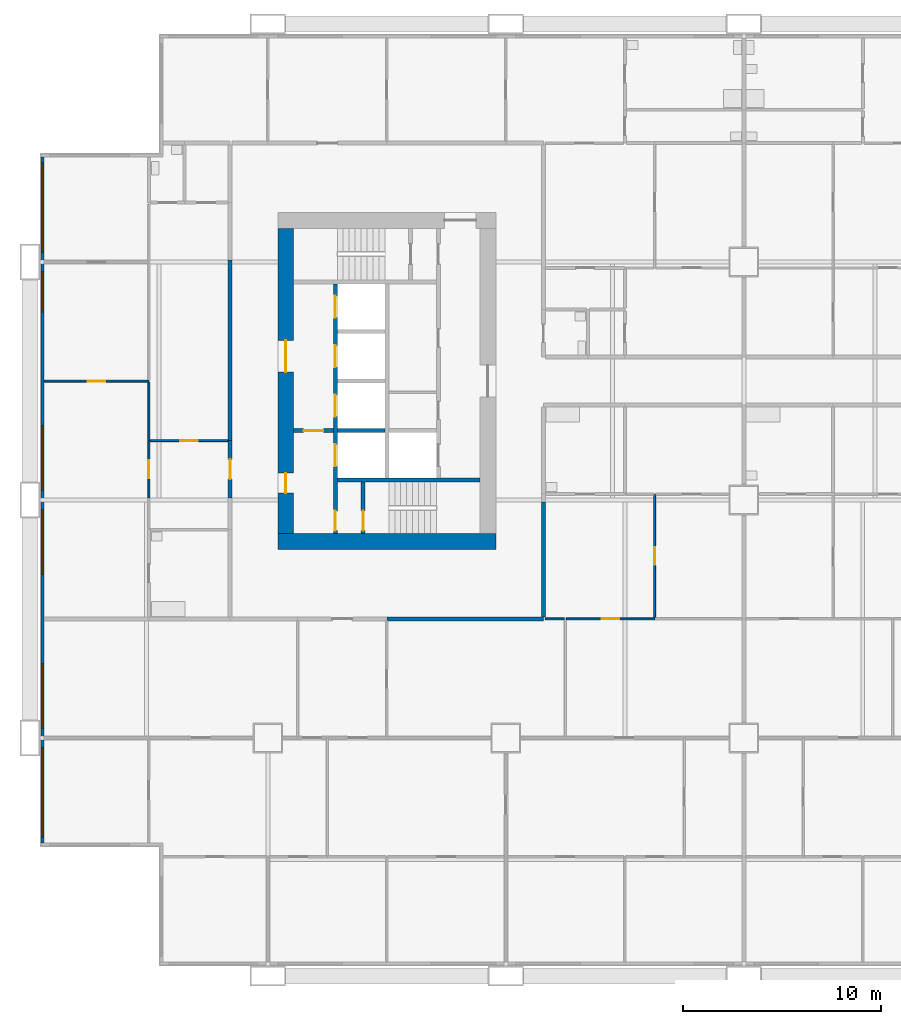
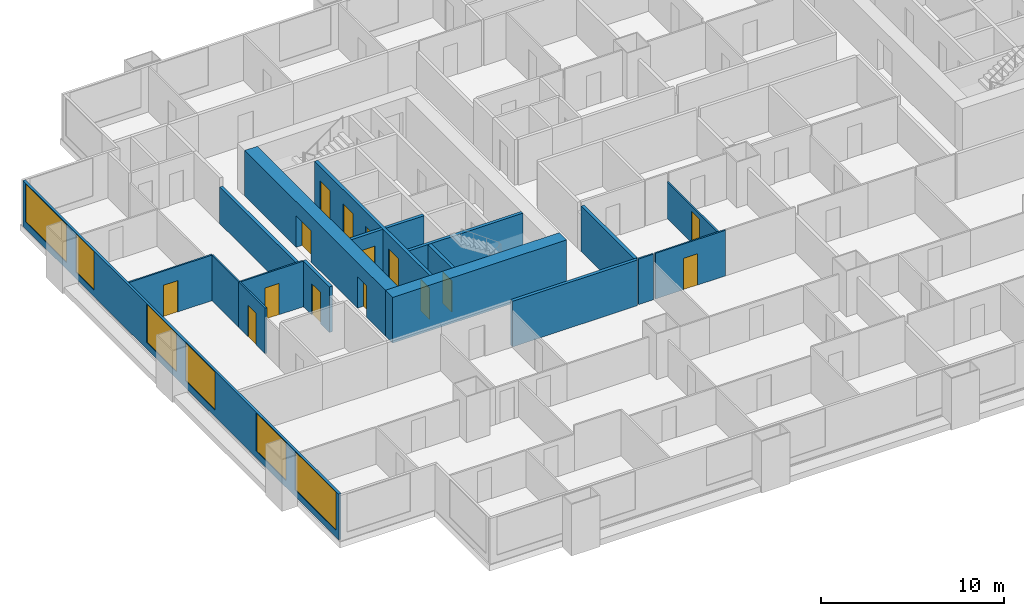
# One storey, part 3 of 13: 19 walls, 15 doors, 6 windows, 21 openings.
"""IFC4 building model written with IfcOpenShell, lengths in metres."""

from ifc_helpers import new_model, si_unit, direction, frame, frame_2d, origin, place, context, subcontext, project, spatial, rectangle, extrude, material, layer, layer_set, type_object, element, fill, save


model = new_model("IFC4")

# Units and contexts
model_context = context("Model", 3, precision=1e-05, world=origin(), true_north=direction((0.0, 1.0)))
body_context = subcontext(model_context, "Body", "Model", "MODEL_VIEW")
ifc_project = project(units=[si_unit("LENGTHUNIT", "METRE"), si_unit("AREAUNIT", "SQUARE_METRE"), si_unit("VOLUMEUNIT", "CUBIC_METRE"), si_unit("PLANEANGLEUNIT", "RADIAN"), si_unit("MASSUNIT", "GRAM", prefix="KILO")], contexts=[model_context])

# Site, building, storey
site_placement = place(None, origin())
site = spatial("IfcSite", under=ifc_project, at=site_placement, CompositionType="ELEMENT")
building_placement = place(site_placement, origin())
building = spatial("IfcBuilding", under=site, at=building_placement, Name="Kitamizu Gate Tower and Museum", CompositionType="ELEMENT")
storey_placement = place(building_placement, frame((0.0, 0.0, 36.89990234375)))
storey = spatial("IfcBuildingStorey", under=building, at=storey_placement, Name="L07", CompositionType="ELEMENT", Elevation=36.89990234375)

# Wall
ifc_material_1 = material(Name="Concrete Fc60", Category="concrete")
ifc_layer_1 = layer(ifc_material_1, 0.800048828125)
ifc_layer_set_1 = layer_set([ifc_layer_1], Name="Concrete Fc60")
wall_type_1 = type_object("IfcWallType", Name="Core wall 800", PredefinedType="SHEAR", material=ifc_layer_set_1)
wall_1_placement = place(storey_placement, frame((12.5, 21.89990234375, 0.0), z_axis=(0.0, 0.0, 1.0), x_axis=(1.0, 0.0, 0.0)))
element("IfcWall", 1, at=wall_1_placement, inside=storey, type_object=wall_type_1, Name="Core wall WS", PredefinedType="SHEAR", context=body_context, shape_type="SweptSolid", body=[
    extrude(rectangle(XDim=11.0, YDim=0.800048828125, at=frame_2d((5.5, 0.0))), origin(), (0.0, 0.0, 1.0), 3.050048828125),
])

# Wall, openings, doors
wall_2_placement = place(storey_placement, frame((12.89990234375, 22.300048828125, 0.0), z_axis=(0.0, 0.0, 1.0), x_axis=(0.0, 1.0, 0.0)))
wall_2 = element("IfcWall", 2, at=wall_2_placement, inside=storey, type_object=wall_type_1, Name="Core wall WOUT", PredefinedType="SHEAR", context=body_context, shape_type="SweptSolid", body=[
    extrude(rectangle(XDim=15.39990234375, YDim=0.800048828125, at=frame_2d((7.699951171875, 0.0))), origin(), (0.0, 0.0, 1.0), 3.050048828125),
])
opening_1_placement = place(wall_2_placement, frame((8.14990234375, 0.0, 0.0)))
opening_1 = element("IfcOpeningElement", 3, at=opening_1_placement, cuts=wall_2, Name="Opening L07-083", PredefinedType="OPENING", context=body_context, shape_type="SweptSolid", body=[
    extrude(rectangle(XDim=1.60009765625, YDim=2.10009765625, at=frame_2d((0.800048828125, 1.050048828125))), frame((0.0, 0.41015625, 0.0), z_axis=(0.0, -1.0, 0.0), x_axis=(1.0, 0.0, 0.0)), (0.0, 0.0, 1.0), 0.820068359375),
])
opening_2_placement = place(wall_2_placement, frame((2.050048828125, 0.0, 0.0)))
opening_2 = element("IfcOpeningElement", 4, at=opening_2_placement, cuts=wall_2, Name="Opening L07-084", PredefinedType="OPENING", context=body_context, shape_type="SweptSolid", body=[
    extrude(rectangle(XDim=1.0, YDim=2.10009765625, at=frame_2d((0.5, 1.050048828125))), frame((0.0, 0.41015625, 0.0), z_axis=(0.0, -1.0, 0.0), x_axis=(1.0, 0.0, 0.0)), (0.0, 0.0, 1.0), 0.820068359375),
])
ifc_material_2 = material(Name="Timber door set", Category="wood")
door_type_1 = type_object("IfcDoorType", Name="Entrance door 1600", OperationType="DOUBLE_DOOR_SINGLE_SWING", PredefinedType="DOOR", material=ifc_material_2)
door_1_placement = place(opening_1_placement, origin())
door_1 = element("IfcDoor", 5, at=door_1_placement, inside=storey, type_object=door_type_1, Name="Lobby door L07-083", OperationType="DOUBLE_DOOR_SINGLE_SWING", OverallHeight=2.10009765625, OverallWidth=1.60009765625, PredefinedType="DOOR", context=body_context, shape_type="SweptSolid", body=[
    extrude(rectangle(XDim=1.60009765625, YDim=2.10009765625, at=frame_2d((0.800048828125, 1.050048828125))), frame((0.0, 0.02490234375, 0.0), z_axis=(0.0, -1.0, 0.0), x_axis=(1.0, 0.0, 0.0)), (0.0, 0.0, 1.0), 0.050048828125),
])
fill(opening_1, door_1)
ifc_material_3 = material(Name="Hollow metal door set")
door_type_2 = type_object("IfcDoorType", Name="Fire door 1000", OperationType="NOTDEFINED", PredefinedType="DOOR", material=ifc_material_3)
door_2_placement = place(opening_2_placement, frame((1.0, 0.0, 0.0), x_axis=(-1.0, 0.0, 0.0)))
door_2 = element("IfcDoor", 6, at=door_2_placement, inside=storey, type_object=door_type_2, Name="Fire-fighting lobby door L07-084", OperationType="SINGLE_SWING_LEFT", OverallHeight=2.10009765625, OverallWidth=1.0, PredefinedType="DOOR", context=body_context, shape_type="SweptSolid", body=[
    extrude(rectangle(XDim=1.0, YDim=2.10009765625, at=frame_2d((0.5, 1.050048828125))), frame((0.0, 0.02490234375, 0.0), z_axis=(0.0, -1.0, 0.0), x_axis=(1.0, 0.0, 0.0)), (0.0, 0.0, 1.0), 0.050048828125),
])
fill(opening_2, door_2)

# Wall
ifc_material_4 = material(Name="Gypsum board on galvanised stud")
ifc_layer_2 = layer(ifc_material_4, 0.10009765625)
ifc_layer_set_2 = layer_set([ifc_layer_2], Name="Gypsum board on galvanised stud")
wall_type_2 = type_object("IfcWallType", Name="Partition 100 NOT RATED", PredefinedType="PARTITIONING", material=ifc_layer_set_2)
wall_3_placement = place(storey_placement, frame((26.949951171875, 18.0, 0.0), z_axis=(0.0, 0.0, 1.0), x_axis=(-1.0, 0.0, 0.0)))
element("IfcWall", 7, at=wall_3_placement, inside=storey, type_object=wall_type_2, Name="Partition L07-034", PredefinedType="PARTITIONING", context=body_context, shape_type="SweptSolid", body=[
    extrude(rectangle(XDim=0.949951171875, YDim=0.10009765625, at=frame_2d((0.47509765625, 0.0))), origin(), (0.0, 0.0, 1.0), 3.050048828125),
])

# Wall, opening, door
wall_4_placement = place(storey_placement, frame((31.5, 18.0, 0.0), z_axis=(0.0, 0.0, 1.0), x_axis=(-1.0, 0.0, 0.0)))
wall_4 = element("IfcWall", 8, at=wall_4_placement, inside=storey, type_object=wall_type_2, Name="Partition L07-036", PredefinedType="PARTITIONING", context=body_context, shape_type="SweptSolid", body=[
    extrude(rectangle(XDim=4.449951171875, YDim=0.10009765625, at=frame_2d((2.22509765625, 0.0))), origin(), (0.0, 0.0, 1.0), 3.050048828125),
])
opening_3_placement = place(wall_4_placement, frame((1.77490234375, 0.0, 0.0)))
opening_3 = element("IfcOpeningElement", 9, at=opening_3_placement, cuts=wall_4, Name="Opening L07-015", PredefinedType="OPENING", context=body_context, shape_type="SweptSolid", body=[
    extrude(rectangle(XDim=0.89990234375, YDim=2.10009765625, at=frame_2d((0.449951171875, 1.050048828125))), frame((0.0, 0.06005859375, 0.0), z_axis=(0.0, -1.0, 0.0), x_axis=(1.0, 0.0, 0.0)), (0.0, 0.0, 1.0), 0.1201171875),
])
ifc_material_5 = material(Name="Timber door set", Category="wood")
door_type_3 = type_object("IfcDoorType", Name="Room door 900", OperationType="NOTDEFINED", PredefinedType="DOOR", material=ifc_material_5)
door_3_placement = place(opening_3_placement, frame((0.89990234375, 0.0, 0.0), x_axis=(-1.0, 0.0, 0.0)))
door_3 = element("IfcDoor", 10, at=door_3_placement, inside=storey, type_object=door_type_3, Name="Door L07-015", OperationType="SINGLE_SWING_LEFT", OverallHeight=2.10009765625, OverallWidth=0.89990234375, PredefinedType="DOOR", context=body_context, shape_type="SweptSolid", body=[
    extrude(rectangle(XDim=0.89990234375, YDim=2.10009765625, at=frame_2d((0.449951171875, 1.050048828125))), frame((0.0, 0.02490234375, 0.0), z_axis=(0.0, -1.0, 0.0), x_axis=(1.0, 0.0, 0.0)), (0.0, 0.0, 1.0), 0.050048828125),
])
fill(opening_3, door_3)

wall_5_placement = place(storey_placement, frame((31.5, 18.050048828125, 0.0), z_axis=(0.0, 0.0, 1.0), x_axis=(0.0, 1.0, 0.0)))
wall_5 = element("IfcWall", 11, at=wall_5_placement, inside=storey, type_object=wall_type_2, Name="Partition L07-039", PredefinedType="PARTITIONING", context=body_context, shape_type="SweptSolid", body=[
    extrude(rectangle(XDim=6.25, YDim=0.10009765625, at=frame_2d((3.125, 0.0))), origin(), (0.0, 0.0, 1.0), 2.4501953125),
])
opening_4_placement = place(wall_5_placement, frame((2.675048828125, 0.0, 0.0)))
opening_4 = element("IfcOpeningElement", 12, at=opening_4_placement, cuts=wall_5, Name="Opening L07-016", PredefinedType="OPENING", context=body_context, shape_type="SweptSolid", body=[
    extrude(rectangle(XDim=0.89990234375, YDim=2.10009765625, at=frame_2d((0.449951171875, 1.050048828125))), frame((0.0, 0.06005859375, 0.0), z_axis=(0.0, -1.0, 0.0), x_axis=(1.0, 0.0, 0.0)), (0.0, 0.0, 1.0), 0.1201171875),
])
door_4_placement = place(opening_4_placement, frame((0.89990234375, 0.0, 0.0), x_axis=(-1.0, 0.0, 0.0)))
door_4 = element("IfcDoor", 13, at=door_4_placement, inside=storey, type_object=door_type_3, Name="Door L07-016", OperationType="SINGLE_SWING_RIGHT", OverallHeight=2.10009765625, OverallWidth=0.89990234375, PredefinedType="DOOR", context=body_context, shape_type="SweptSolid", body=[
    extrude(rectangle(XDim=0.89990234375, YDim=2.10009765625, at=frame_2d((0.449951171875, 1.050048828125))), frame((0.0, 0.02490234375, 0.0), z_axis=(0.0, -1.0, 0.0), x_axis=(1.0, 0.0, 0.0)), (0.0, 0.0, 1.0), 0.050048828125),
])
fill(opening_4, door_4)

wall_6_placement = place(storey_placement, frame((6.0, 30.0, 0.0), z_axis=(0.0, 0.0, 1.0), x_axis=(-1.0, 0.0, 0.0)))
wall_6 = element("IfcWall", 14, at=wall_6_placement, inside=storey, type_object=wall_type_2, Name="Partition L07-051", PredefinedType="PARTITIONING", context=body_context, shape_type="SweptSolid", body=[
    extrude(rectangle(XDim=5.280029296875, YDim=0.10009765625, at=frame_2d((2.64013671875, 0.0))), origin(), (0.0, 0.0, 1.0), 3.050048828125),
])
opening_5_placement = place(wall_6_placement, frame((2.18994140625, 0.0, 0.0)))
opening_5 = element("IfcOpeningElement", 15, at=opening_5_placement, cuts=wall_6, Name="Opening L07-022", PredefinedType="OPENING", context=body_context, shape_type="SweptSolid", body=[
    extrude(rectangle(XDim=0.89990234375, YDim=2.10009765625, at=frame_2d((0.449951171875, 1.050048828125))), frame((0.0, 0.06005859375, 0.0), z_axis=(0.0, -1.0, 0.0), x_axis=(1.0, 0.0, 0.0)), (0.0, 0.0, 1.0), 0.1201171875),
])
door_5_placement = place(opening_5_placement, frame((0.89990234375, 0.0, 0.0), x_axis=(-1.0, 0.0, 0.0)))
door_5 = element("IfcDoor", 16, at=door_5_placement, inside=storey, type_object=door_type_3, Name="Door L07-022", OperationType="SINGLE_SWING_RIGHT", OverallHeight=2.10009765625, OverallWidth=0.89990234375, PredefinedType="DOOR", context=body_context, shape_type="SweptSolid", body=[
    extrude(rectangle(XDim=0.89990234375, YDim=2.10009765625, at=frame_2d((0.449951171875, 1.050048828125))), frame((0.0, 0.02490234375, 0.0), z_axis=(0.0, -1.0, 0.0), x_axis=(1.0, 0.0, 0.0)), (0.0, 0.0, 1.0), 0.050048828125),
])
fill(opening_5, door_5)

wall_7_placement = place(storey_placement, frame((6.0, 24.10009765625, 0.0), z_axis=(0.0, 0.0, 1.0), x_axis=(0.0, 1.0, 0.0)))
wall_7 = element("IfcWall", 17, at=wall_7_placement, inside=storey, type_object=wall_type_2, Name="Partition L07-054", PredefinedType="PARTITIONING", context=body_context, shape_type="SweptSolid", body=[
    extrude(rectangle(XDim=2.89990234375, YDim=0.10009765625, at=frame_2d((1.449951171875, 0.0))), origin(), (0.0, 0.0, 1.0), 3.050048828125),
])
opening_6_placement = place(wall_7_placement, frame((1.0, 0.0, 0.0)))
opening_6 = element("IfcOpeningElement", 18, at=opening_6_placement, cuts=wall_7, Name="Opening L07-020", PredefinedType="OPENING", context=body_context, shape_type="SweptSolid", body=[
    extrude(rectangle(XDim=0.89990234375, YDim=2.10009765625, at=frame_2d((0.449951171875, 1.050048828125))), frame((0.0, 0.06005859375, 0.0), z_axis=(0.0, -1.0, 0.0), x_axis=(1.0, 0.0, 0.0)), (0.0, 0.0, 1.0), 0.1201171875),
])
door_6_placement = place(opening_6_placement, origin())
door_6 = element("IfcDoor", 19, at=door_6_placement, inside=storey, type_object=door_type_3, Name="Door L07-020", OperationType="SINGLE_SWING_LEFT", OverallHeight=2.10009765625, OverallWidth=0.89990234375, PredefinedType="DOOR", context=body_context, shape_type="SweptSolid", body=[
    extrude(rectangle(XDim=0.89990234375, YDim=2.10009765625, at=frame_2d((0.449951171875, 1.050048828125))), frame((0.0, 0.02490234375, 0.0), z_axis=(0.0, -1.0, 0.0), x_axis=(1.0, 0.0, 0.0)), (0.0, 0.0, 1.0), 0.050048828125),
])
fill(opening_6, door_6)

# Wall
wall_8_placement = place(storey_placement, frame((6.0, 27.0, 0.0), z_axis=(0.0, 0.0, 1.0), x_axis=(0.0, 1.0, 0.0)))
element("IfcWall", 20, at=wall_8_placement, inside=storey, type_object=wall_type_2, Name="Partition L07-055", PredefinedType="PARTITIONING", context=body_context, shape_type="SweptSolid", body=[
    extrude(rectangle(XDim=2.949951171875, YDim=0.10009765625, at=frame_2d((1.47509765625, 0.0))), origin(), (0.0, 0.0, 1.0), 3.050048828125),
])

# Wall, opening, door
wall_9_placement = place(storey_placement, frame((10.0, 27.0, 0.0), z_axis=(0.0, 0.0, 1.0), x_axis=(-1.0, 0.0, 0.0)))
wall_9 = element("IfcWall", 21, at=wall_9_placement, inside=storey, type_object=wall_type_2, Name="Partition L07-062", PredefinedType="PARTITIONING", context=body_context, shape_type="SweptSolid", body=[
    extrude(rectangle(XDim=3.949951171875, YDim=0.10009765625, at=frame_2d((1.97509765625, 0.0))), origin(), (0.0, 0.0, 1.0), 3.050048828125),
])
opening_7_placement = place(wall_9_placement, frame((1.52490234375, 0.0, 0.0)))
opening_7 = element("IfcOpeningElement", 22, at=opening_7_placement, cuts=wall_9, Name="Opening L07-021", PredefinedType="OPENING", context=body_context, shape_type="SweptSolid", body=[
    extrude(rectangle(XDim=0.89990234375, YDim=2.10009765625, at=frame_2d((0.449951171875, 1.050048828125))), frame((0.0, 0.06005859375, 0.0), z_axis=(0.0, -1.0, 0.0), x_axis=(1.0, 0.0, 0.0)), (0.0, 0.0, 1.0), 0.1201171875),
])
door_7_placement = place(opening_7_placement, origin())
door_7 = element("IfcDoor", 23, at=door_7_placement, inside=storey, type_object=door_type_3, Name="Door L07-021", OperationType="SINGLE_SWING_RIGHT", OverallHeight=2.10009765625, OverallWidth=0.89990234375, PredefinedType="DOOR", context=body_context, shape_type="SweptSolid", body=[
    extrude(rectangle(XDim=0.89990234375, YDim=2.10009765625, at=frame_2d((0.449951171875, 1.050048828125))), frame((0.0, 0.02490234375, 0.0), z_axis=(0.0, -1.0, 0.0), x_axis=(1.0, 0.0, 0.0)), (0.0, 0.0, 1.0), 0.050048828125),
])
fill(opening_7, door_7)

# Walls
ifc_material_6 = material(Name="Gypsum board on galvanised stud")
ifc_layer_3 = layer(ifc_material_6, 0.199951171875)
ifc_layer_set_3 = layer_set([ifc_layer_3], Name="Gypsum board on galvanised stud")
wall_type_3 = type_object("IfcWallType", Name="Partition 200", PredefinedType="PARTITIONING", material=ifc_layer_set_3)
wall_10_placement = place(storey_placement, frame((25.89990234375, 18.0, 0.0), z_axis=(0.0, 0.0, 1.0), x_axis=(-1.0, 0.0, 0.0)))
element("IfcWall", 24, at=wall_10_placement, inside=storey, type_object=wall_type_3, Name="Partition L07-035", PredefinedType="PARTITIONING", context=body_context, shape_type="SweptSolid", body=[
    extrude(rectangle(XDim=7.89990234375, YDim=0.199951171875, at=frame_2d((3.949951171875, 0.0))), origin(), (0.0, 0.0, 1.0), 3.050048828125),
])
wall_11_placement = place(storey_placement, frame((25.89990234375, 23.89990234375, 0.0), z_axis=(0.0, 0.0, 1.0), x_axis=(0.0, -1.0, 0.0)))
element("IfcWall", 25, at=wall_11_placement, inside=storey, type_object=wall_type_3, Name="Partition L07-043", PredefinedType="PARTITIONING", context=body_context, shape_type="SweptSolid", body=[
    extrude(rectangle(XDim=5.7998046875, YDim=0.199951171875, at=frame_2d((2.89990234375, 0.0))), origin(), (0.0, 0.0, 1.0), 3.050048828125),
])

# Wall, opening, door
wall_12_placement = place(storey_placement, frame((10.10009765625, 24.10009765625, 0.0), z_axis=(0.0, 0.0, 1.0), x_axis=(0.0, 1.0, 0.0)))
wall_12 = element("IfcWall", 26, at=wall_12_placement, inside=storey, type_object=wall_type_3, Name="Partition L07-064", PredefinedType="PARTITIONING", context=body_context, shape_type="SweptSolid", body=[
    extrude(rectangle(XDim=2.89990234375, YDim=0.199951171875, at=frame_2d((1.449951171875, 0.0))), origin(), (0.0, 0.0, 1.0), 3.050048828125),
])
opening_8_placement = place(wall_12_placement, frame((0.949951171875, 0.0, 0.0)))
opening_8 = element("IfcOpeningElement", 27, at=opening_8_placement, cuts=wall_12, Name="Opening L07-019", PredefinedType="OPENING", context=body_context, shape_type="SweptSolid", body=[
    extrude(rectangle(XDim=1.0, YDim=2.10009765625, at=frame_2d((0.5, 1.050048828125))), frame((0.0, 0.10986328125, 0.0), z_axis=(0.0, -1.0, 0.0), x_axis=(1.0, 0.0, 0.0)), (0.0, 0.0, 1.0), 0.219970703125),
])
ifc_material_7 = material(Name="Timber door set", Category="wood")
door_type_4 = type_object("IfcDoorType", Name="Flat entrance door 1000", OperationType="NOTDEFINED", PredefinedType="DOOR", material=ifc_material_7)
door_8_placement = place(opening_8_placement, origin())
door_8 = element("IfcDoor", 28, at=door_8_placement, inside=storey, type_object=door_type_4, Name="Flat entrance door L07-019", OperationType="SINGLE_SWING_LEFT", OverallHeight=2.10009765625, OverallWidth=1.0, PredefinedType="DOOR", context=body_context, shape_type="SweptSolid", body=[
    extrude(rectangle(XDim=1.0, YDim=2.10009765625, at=frame_2d((0.5, 1.050048828125))), frame((0.0, 0.02490234375, 0.0), z_axis=(0.0, -1.0, 0.0), x_axis=(1.0, 0.0, 0.0)), (0.0, 0.0, 1.0), 0.050048828125),
])
fill(opening_8, door_8)

# Wall
wall_13_placement = place(storey_placement, frame((10.10009765625, 27.0, 0.0), z_axis=(0.0, 0.0, 1.0), x_axis=(0.0, 1.0, 0.0)))
element("IfcWall", 29, at=wall_13_placement, inside=storey, type_object=wall_type_3, Name="Partition L07-067", PredefinedType="PARTITIONING", context=body_context, shape_type="SweptSolid", body=[
    extrude(rectangle(XDim=9.10009765625, YDim=0.199951171875, at=frame_2d((4.550048828125, 0.0))), origin(), (0.0, 0.0, 1.0), 2.4501953125),
])

# Wall, openings, doors
ifc_material_8 = material(Name="Concrete Fc42", Category="concrete")
ifc_layer_4 = layer(ifc_material_8, 0.199951171875)
ifc_layer_set_4 = layer_set([ifc_layer_4], Name="Concrete Fc42")
wall_type_4 = type_object("IfcWallType", Name="Shaft wall 200", PredefinedType="SOLIDWALL", material=ifc_layer_set_4)
wall_14_placement = place(storey_placement, frame((15.39990234375, 22.300048828125, 0.0), z_axis=(0.0, 0.0, 1.0), x_axis=(0.0, 1.0, 0.0)))
wall_14 = element("IfcWall", 30, at=wall_14_placement, inside=storey, type_object=wall_type_4, Name="Shaft wall WWEST", PredefinedType="SOLIDWALL", context=body_context, shape_type="SweptSolid", body=[
    extrude(rectangle(XDim=12.599853515625, YDim=0.199951171875, at=frame_2d((6.2998046875, 0.0))), origin(), (0.0, 0.0, 1.0), 3.050048828125),
])
opening_9_placement = place(wall_14_placement, frame((3.39990234375, 0.0, 0.0)))
opening_9 = element("IfcOpeningElement", 31, at=opening_9_placement, cuts=wall_14, Name="Opening LD", PredefinedType="OPENING", context=body_context, shape_type="SweptSolid", body=[
    extrude(rectangle(XDim=1.10009765625, YDim=2.10009765625, at=frame_2d((0.550048828125, 1.050048828125))), frame((0.0, 0.10986328125, 0.0), z_axis=(0.0, -1.0, 0.0), x_axis=(1.0, 0.0, 0.0)), (0.0, 0.0, 1.0), 0.219970703125),
])
opening_10_placement = place(wall_14_placement, frame((5.89990234375, 0.0, 0.0)))
opening_10 = element("IfcOpeningElement", 32, at=opening_10_placement, cuts=wall_14, Name="Opening LD", PredefinedType="OPENING", context=body_context, shape_type="SweptSolid", body=[
    extrude(rectangle(XDim=1.10009765625, YDim=2.10009765625, at=frame_2d((0.550048828125, 1.050048828125))), frame((0.0, 0.10986328125, 0.0), z_axis=(0.0, -1.0, 0.0), x_axis=(1.0, 0.0, 0.0)), (0.0, 0.0, 1.0), 0.219970703125),
])
opening_11_placement = place(wall_14_placement, frame((8.39990234375, 0.0, 0.0)))
opening_11 = element("IfcOpeningElement", 33, at=opening_11_placement, cuts=wall_14, Name="Opening LD", PredefinedType="OPENING", context=body_context, shape_type="SweptSolid", body=[
    extrude(rectangle(XDim=1.10009765625, YDim=2.10009765625, at=frame_2d((0.550048828125, 1.050048828125))), frame((0.0, 0.10986328125, 0.0), z_axis=(0.0, -1.0, 0.0), x_axis=(1.0, 0.0, 0.0)), (0.0, 0.0, 1.0), 0.219970703125),
])
opening_12_placement = place(wall_14_placement, frame((10.89990234375, 0.0, 0.0)))
opening_12 = element("IfcOpeningElement", 34, at=opening_12_placement, cuts=wall_14, Name="Opening LD", PredefinedType="OPENING", context=body_context, shape_type="SweptSolid", body=[
    extrude(rectangle(XDim=1.10009765625, YDim=2.10009765625, at=frame_2d((0.550048828125, 1.050048828125))), frame((0.0, 0.10986328125, 0.0), z_axis=(0.0, -1.0, 0.0), x_axis=(1.0, 0.0, 0.0)), (0.0, 0.0, 1.0), 0.219970703125),
])
opening_13_placement = place(wall_14_placement, frame((0.14990234375, 0.0, 0.0)))
opening_13 = element("IfcOpeningElement", 35, at=opening_13_placement, cuts=wall_14, Name="Opening L07-079", PredefinedType="OPENING", context=body_context, shape_type="SweptSolid", body=[
    extrude(rectangle(XDim=1.0, YDim=2.10009765625, at=frame_2d((0.5, 1.050048828125))), frame((0.0, 0.10986328125, 0.0), z_axis=(0.0, -1.0, 0.0), x_axis=(1.0, 0.0, 0.0)), (0.0, 0.0, 1.0), 0.219970703125),
])
door_9_placement = place(opening_13_placement, frame((1.0, 0.0, 0.0), x_axis=(-1.0, 0.0, 0.0)))
door_9 = element("IfcDoor", 36, at=door_9_placement, inside=storey, type_object=door_type_2, Name="Stair lobby door L07-079", OperationType="SINGLE_SWING_LEFT", OverallHeight=2.10009765625, OverallWidth=1.0, PredefinedType="DOOR", context=body_context, shape_type="SweptSolid", body=[
    extrude(rectangle(XDim=1.0, YDim=2.10009765625, at=frame_2d((0.5, 1.050048828125))), frame((0.0, 0.02490234375, 0.0), z_axis=(0.0, -1.0, 0.0), x_axis=(1.0, 0.0, 0.0)), (0.0, 0.0, 1.0), 0.050048828125),
])
fill(opening_13, door_9)
ifc_material_9 = material(Name="Hollow metal door set")
door_type_5 = type_object("IfcDoorType", Name="Landing door 1100", OperationType="SLIDING_TO_LEFT", PredefinedType="DOOR", material=ifc_material_9)
door_10_placement = place(opening_9_placement, origin())
door_10 = element("IfcDoor", 37, at=door_10_placement, inside=storey, type_object=door_type_5, Name="Landing door WFF1", OperationType="SLIDING_TO_LEFT", OverallHeight=2.10009765625, OverallWidth=1.10009765625, PredefinedType="DOOR", context=body_context, shape_type="SweptSolid", body=[
    extrude(rectangle(XDim=1.10009765625, YDim=2.10009765625, at=frame_2d((0.550048828125, 1.050048828125))), frame((0.0, 0.02490234375, 0.0), z_axis=(0.0, -1.0, 0.0), x_axis=(1.0, 0.0, 0.0)), (0.0, 0.0, 1.0), 0.050048828125),
])
fill(opening_9, door_10)
door_11_placement = place(opening_10_placement, origin())
door_11 = element("IfcDoor", 38, at=door_11_placement, inside=storey, type_object=door_type_5, Name="Landing door WL1", OperationType="SLIDING_TO_LEFT", OverallHeight=2.10009765625, OverallWidth=1.10009765625, PredefinedType="DOOR", context=body_context, shape_type="SweptSolid", body=[
    extrude(rectangle(XDim=1.10009765625, YDim=2.10009765625, at=frame_2d((0.550048828125, 1.050048828125))), frame((0.0, 0.02490234375, 0.0), z_axis=(0.0, -1.0, 0.0), x_axis=(1.0, 0.0, 0.0)), (0.0, 0.0, 1.0), 0.050048828125),
])
fill(opening_10, door_11)
door_12_placement = place(opening_11_placement, origin())
door_12 = element("IfcDoor", 39, at=door_12_placement, inside=storey, type_object=door_type_5, Name="Landing door WL2", OperationType="SLIDING_TO_LEFT", OverallHeight=2.10009765625, OverallWidth=1.10009765625, PredefinedType="DOOR", context=body_context, shape_type="SweptSolid", body=[
    extrude(rectangle(XDim=1.10009765625, YDim=2.10009765625, at=frame_2d((0.550048828125, 1.050048828125))), frame((0.0, 0.02490234375, 0.0), z_axis=(0.0, -1.0, 0.0), x_axis=(1.0, 0.0, 0.0)), (0.0, 0.0, 1.0), 0.050048828125),
])
fill(opening_11, door_12)
door_13_placement = place(opening_12_placement, origin())
door_13 = element("IfcDoor", 40, at=door_13_placement, inside=storey, type_object=door_type_5, Name="Landing door WL3", OperationType="SLIDING_TO_LEFT", OverallHeight=2.10009765625, OverallWidth=1.10009765625, PredefinedType="DOOR", context=body_context, shape_type="SweptSolid", body=[
    extrude(rectangle(XDim=1.10009765625, YDim=2.10009765625, at=frame_2d((0.550048828125, 1.050048828125))), frame((0.0, 0.02490234375, 0.0), z_axis=(0.0, -1.0, 0.0), x_axis=(1.0, 0.0, 0.0)), (0.0, 0.0, 1.0), 0.050048828125),
])
fill(opening_12, door_13)

# Wall
wall_15_placement = place(storey_placement, frame((15.5, 25.0, 0.0), z_axis=(0.0, 0.0, 1.0), x_axis=(1.0, 0.0, 0.0)))
element("IfcWall", 41, at=wall_15_placement, inside=storey, type_object=wall_type_4, Name="Shaft wall WSB", PredefinedType="SOLIDWALL", context=body_context, shape_type="SweptSolid", body=[
    extrude(rectangle(XDim=7.199951171875, YDim=0.199951171875, at=frame_2d((3.60009765625, 0.0))), origin(), (0.0, 0.0, 1.0), 3.050048828125),
])

# Wall, opening, door
wall_16_placement = place(storey_placement, frame((13.300048828125, 27.5, 0.0), z_axis=(0.0, 0.0, 1.0), x_axis=(1.0, 0.0, 0.0)))
wall_16 = element("IfcWall", 42, at=wall_16_placement, inside=storey, type_object=wall_type_4, Name="Shaft wall WFFN", PredefinedType="SOLIDWALL", context=body_context, shape_type="SweptSolid", body=[
    extrude(rectangle(XDim=2.0, YDim=0.199951171875, at=frame_2d((1.0, 0.0))), origin(), (0.0, 0.0, 1.0), 3.050048828125),
])
opening_14_placement = place(wall_16_placement, frame((0.5, 0.0, 0.0)))
opening_14 = element("IfcOpeningElement", 43, at=opening_14_placement, cuts=wall_16, Name="Opening L07-082", PredefinedType="OPENING", context=body_context, shape_type="SweptSolid", body=[
    extrude(rectangle(XDim=1.0, YDim=2.10009765625, at=frame_2d((0.5, 1.050048828125))), frame((0.0, 0.10986328125, 0.0), z_axis=(0.0, -1.0, 0.0), x_axis=(1.0, 0.0, 0.0)), (0.0, 0.0, 1.0), 0.219970703125),
])
door_14_placement = place(opening_14_placement, frame((1.0, 0.0, 0.0), x_axis=(-1.0, 0.0, 0.0)))
door_14 = element("IfcDoor", 44, at=door_14_placement, inside=storey, type_object=door_type_2, Name="Fire-fighting lobby door L07-082", OperationType="SINGLE_SWING_RIGHT", OverallHeight=2.10009765625, OverallWidth=1.0, PredefinedType="DOOR", context=body_context, shape_type="SweptSolid", body=[
    extrude(rectangle(XDim=1.0, YDim=2.10009765625, at=frame_2d((0.5, 1.050048828125))), frame((0.0, 0.02490234375, 0.0), z_axis=(0.0, -1.0, 0.0), x_axis=(1.0, 0.0, 0.0)), (0.0, 0.0, 1.0), 0.050048828125),
])
fill(opening_14, door_14)

wall_17_placement = place(storey_placement, frame((16.800048828125, 22.300048828125, 0.0), z_axis=(0.0, 0.0, 1.0), x_axis=(0.0, 1.0, 0.0)))
wall_17 = element("IfcWall", 45, at=wall_17_placement, inside=storey, type_object=wall_type_4, Name="Shaft wall WSZ", PredefinedType="SOLIDWALL", context=body_context, shape_type="SweptSolid", body=[
    extrude(rectangle(XDim=2.599853515625, YDim=0.199951171875, at=frame_2d((1.2998046875, 0.0))), origin(), (0.0, 0.0, 1.0), 3.050048828125),
])
opening_15_placement = place(wall_17_placement, frame((0.14990234375, 0.0, 0.0)))
opening_15 = element("IfcOpeningElement", 46, at=opening_15_placement, cuts=wall_17, Name="Opening L07-078", PredefinedType="OPENING", context=body_context, shape_type="SweptSolid", body=[
    extrude(rectangle(XDim=1.0, YDim=2.10009765625, at=frame_2d((0.5, 1.050048828125))), frame((0.0, 0.10986328125, 0.0), z_axis=(0.0, -1.0, 0.0), x_axis=(1.0, 0.0, 0.0)), (0.0, 0.0, 1.0), 0.219970703125),
])
door_15_placement = place(opening_15_placement, frame((1.0, 0.0, 0.0), x_axis=(-1.0, 0.0, 0.0)))
door_15 = element("IfcDoor", 47, at=door_15_placement, inside=storey, type_object=door_type_2, Name="Stair door L07-078", OperationType="SINGLE_SWING_LEFT", OverallHeight=2.10009765625, OverallWidth=1.0, PredefinedType="DOOR", context=body_context, shape_type="SweptSolid", body=[
    extrude(rectangle(XDim=1.0, YDim=2.10009765625, at=frame_2d((0.5, 1.050048828125))), frame((0.0, 0.02490234375, 0.0), z_axis=(0.0, -1.0, 0.0), x_axis=(1.0, 0.0, 0.0)), (0.0, 0.0, 1.0), 0.050048828125),
])
fill(opening_15, door_15)

# Wall
wall_18_placement = place(storey_placement, frame((15.5, 27.5, 0.0), z_axis=(0.0, 0.0, 1.0), x_axis=(1.0, 0.0, 0.0)))
element("IfcWall", 48, at=wall_18_placement, inside=storey, type_object=wall_type_4, Name="Shaft wall WDVW0", PredefinedType="SOLIDWALL", context=body_context, shape_type="SweptSolid", body=[
    extrude(rectangle(XDim=2.39990234375, YDim=0.199951171875, at=frame_2d((1.199951171875, 0.0))), origin(), (0.0, 0.0, 1.0), 3.050048828125),
])

# Wall, openings, windows
ifc_material_10 = material(Name="Bronze anodised aluminium frame with insulated spandrel and tinted glass", Category="aluminium")
ifc_layer_5 = layer(ifc_material_10, 0.14990234375)
ifc_layer_set_5 = layer_set([ifc_layer_5], Name="Bronze anodised aluminium frame with insulated spandrel and tinted glass")
wall_type_5 = type_object("IfcWallType", Name="WINDOW WALL 150 BRONZE FRAME EI 30", PredefinedType="ELEMENTEDWALL", material=ifc_layer_set_5)
wall_19_placement = place(storey_placement, frame((0.635009765625, 6.7099609375, 0.0), z_axis=(0.0, 0.0, 1.0), x_axis=(0.0, 1.0, 0.0)))
wall_19 = element("IfcWall", 49, at=wall_19_placement, inside=storey, type_object=wall_type_5, Name="Window wall west L07", PredefinedType="ELEMENTEDWALL", context=body_context, shape_type="SweptSolid", body=[
    extrude(rectangle(XDim=34.580078125, YDim=0.14990234375, at=frame_2d((17.2900390625, 0.0))), origin(), (0.0, 0.0, 1.0), 3.050048828125),
])
opening_16_placement = place(wall_19_placement, frame((0.2900390625, 0.0, 0.449951171875)))
opening_16 = element("IfcOpeningElement", 50, at=opening_16_placement, cuts=wall_19, Name="Opening W15", PredefinedType="OPENING", context=body_context, shape_type="SweptSolid", body=[
    extrude(rectangle(XDim=4.5, YDim=2.550048828125, at=frame_2d((2.25, 1.27490234375))), frame((0.0, 0.0849609375, 0.0), z_axis=(0.0, -1.0, 0.0), x_axis=(1.0, 0.0, 0.0)), (0.0, 0.0, 1.0), 0.169921875),
])
opening_17_placement = place(wall_19_placement, frame((5.7900390625, 0.0, 0.449951171875)))
opening_17 = element("IfcOpeningElement", 51, at=opening_17_placement, cuts=wall_19, Name="Opening W34", PredefinedType="OPENING", context=body_context, shape_type="SweptSolid", body=[
    extrude(rectangle(XDim=3.25, YDim=2.550048828125, at=frame_2d((1.625, 1.27490234375))), frame((0.0, 0.0849609375, 0.0), z_axis=(0.0, -1.0, 0.0), x_axis=(1.0, 0.0, 0.0)), (0.0, 0.0, 1.0), 0.169921875),
])
opening_18_placement = place(wall_19_placement, frame((13.5400390625, 0.0, 0.449951171875)))
opening_18 = element("IfcOpeningElement", 52, at=opening_18_placement, cuts=wall_19, Name="Opening W34", PredefinedType="OPENING", context=body_context, shape_type="SweptSolid", body=[
    extrude(rectangle(XDim=3.25, YDim=2.550048828125, at=frame_2d((1.625, 1.27490234375))), frame((0.0, 0.0849609375, 0.0), z_axis=(0.0, -1.0, 0.0), x_axis=(1.0, 0.0, 0.0)), (0.0, 0.0, 1.0), 0.169921875),
])
opening_19_placement = place(wall_19_placement, frame((17.7900390625, 0.0, 0.449951171875)))
opening_19 = element("IfcOpeningElement", 53, at=opening_19_placement, cuts=wall_19, Name="Opening W34", PredefinedType="OPENING", context=body_context, shape_type="SweptSolid", body=[
    extrude(rectangle(XDim=3.25, YDim=2.550048828125, at=frame_2d((1.625, 1.27490234375))), frame((0.0, 0.0849609375, 0.0), z_axis=(0.0, -1.0, 0.0), x_axis=(1.0, 0.0, 0.0)), (0.0, 0.0, 1.0), 0.169921875),
])
opening_20_placement = place(wall_19_placement, frame((26.7900390625, 0.0, 0.449951171875)))
opening_20 = element("IfcOpeningElement", 54, at=opening_20_placement, cuts=wall_19, Name="Opening W2", PredefinedType="OPENING", context=body_context, shape_type="SweptSolid", body=[
    extrude(rectangle(XDim=2.0, YDim=2.550048828125, at=frame_2d((1.0, 1.27490234375))), frame((0.0, 0.0849609375, 0.0), z_axis=(0.0, -1.0, 0.0), x_axis=(1.0, 0.0, 0.0)), (0.0, 0.0, 1.0), 0.169921875),
])
opening_21_placement = place(wall_19_placement, frame((29.7900390625, 0.0, 0.449951171875)))
opening_21 = element("IfcOpeningElement", 55, at=opening_21_placement, cuts=wall_19, Name="Opening W15", PredefinedType="OPENING", context=body_context, shape_type="SweptSolid", body=[
    extrude(rectangle(XDim=4.5, YDim=2.550048828125, at=frame_2d((2.25, 1.27490234375))), frame((0.0, 0.0849609375, 0.0), z_axis=(0.0, -1.0, 0.0), x_axis=(1.0, 0.0, 0.0)), (0.0, 0.0, 1.0), 0.169921875),
])
ifc_material_11 = material(Name="Bronze anodised aluminium frame, tinted triple glazing", Category="aluminium")
window_type_1 = type_object("IfcWindowType", Name="WINDOW 2000 x 2550 SILL 450", PartitioningType="SINGLE_PANEL", PredefinedType="WINDOW", material=ifc_material_11)
window_1_placement = place(opening_20_placement, origin())
window_1 = element("IfcWindow", 56, at=window_1_placement, inside=storey, type_object=window_type_1, Name="Window W2 L07", OverallHeight=2.550048828125, OverallWidth=2.0, PartitioningType="SINGLE_PANEL", PredefinedType="WINDOW", context=body_context, shape_type="SweptSolid", body=[
    extrude(rectangle(XDim=2.0, YDim=2.550048828125, at=frame_2d((1.0, 1.27490234375))), frame((0.0, 0.030029296875, 0.0), z_axis=(0.0, -1.0, 0.0), x_axis=(1.0, 0.0, 0.0)), (0.0, 0.0, 1.0), 0.06005859375),
])
fill(opening_20, window_1)
ifc_material_12 = material(Name="Bronze anodised aluminium frame, tinted triple glazing", Category="aluminium")
window_type_2 = type_object("IfcWindowType", Name="WINDOW 3250 x 2550 SILL 450", PartitioningType="SINGLE_PANEL", PredefinedType="WINDOW", material=ifc_material_12)
window_2_placement = place(opening_17_placement, origin())
window_2 = element("IfcWindow", 57, at=window_2_placement, inside=storey, type_object=window_type_2, Name="Window W34 L07", OverallHeight=2.550048828125, OverallWidth=3.25, PartitioningType="SINGLE_PANEL", PredefinedType="WINDOW", context=body_context, shape_type="SweptSolid", body=[
    extrude(rectangle(XDim=3.25, YDim=2.550048828125, at=frame_2d((1.625, 1.27490234375))), frame((0.0, 0.030029296875, 0.0), z_axis=(0.0, -1.0, 0.0), x_axis=(1.0, 0.0, 0.0)), (0.0, 0.0, 1.0), 0.06005859375),
])
fill(opening_17, window_2)
window_3_placement = place(opening_18_placement, origin())
window_3 = element("IfcWindow", 58, at=window_3_placement, inside=storey, type_object=window_type_2, Name="Window W34 L07", OverallHeight=2.550048828125, OverallWidth=3.25, PartitioningType="SINGLE_PANEL", PredefinedType="WINDOW", context=body_context, shape_type="SweptSolid", body=[
    extrude(rectangle(XDim=3.25, YDim=2.550048828125, at=frame_2d((1.625, 1.27490234375))), frame((0.0, 0.030029296875, 0.0), z_axis=(0.0, -1.0, 0.0), x_axis=(1.0, 0.0, 0.0)), (0.0, 0.0, 1.0), 0.06005859375),
])
fill(opening_18, window_3)
window_4_placement = place(opening_19_placement, origin())
window_4 = element("IfcWindow", 59, at=window_4_placement, inside=storey, type_object=window_type_2, Name="Window W34 L07", OverallHeight=2.550048828125, OverallWidth=3.25, PartitioningType="SINGLE_PANEL", PredefinedType="WINDOW", context=body_context, shape_type="SweptSolid", body=[
    extrude(rectangle(XDim=3.25, YDim=2.550048828125, at=frame_2d((1.625, 1.27490234375))), frame((0.0, 0.030029296875, 0.0), z_axis=(0.0, -1.0, 0.0), x_axis=(1.0, 0.0, 0.0)), (0.0, 0.0, 1.0), 0.06005859375),
])
fill(opening_19, window_4)
ifc_material_13 = material(Name="Bronze anodised aluminium frame, tinted triple glazing", Category="aluminium")
window_type_3 = type_object("IfcWindowType", Name="WINDOW 4500 x 2550 SILL 450", PartitioningType="SINGLE_PANEL", PredefinedType="WINDOW", material=ifc_material_13)
window_5_placement = place(opening_16_placement, origin())
window_5 = element("IfcWindow", 60, at=window_5_placement, inside=storey, type_object=window_type_3, Name="Window W15 L07", OverallHeight=2.550048828125, OverallWidth=4.5, PartitioningType="SINGLE_PANEL", PredefinedType="WINDOW", context=body_context, shape_type="SweptSolid", body=[
    extrude(rectangle(XDim=4.5, YDim=2.550048828125, at=frame_2d((2.25, 1.27490234375))), frame((0.0, 0.030029296875, 0.0), z_axis=(0.0, -1.0, 0.0), x_axis=(1.0, 0.0, 0.0)), (0.0, 0.0, 1.0), 0.06005859375),
])
fill(opening_16, window_5)
window_6_placement = place(opening_21_placement, origin())
window_6 = element("IfcWindow", 61, at=window_6_placement, inside=storey, type_object=window_type_3, Name="Window W15 L07", OverallHeight=2.550048828125, OverallWidth=4.5, PartitioningType="SINGLE_PANEL", PredefinedType="WINDOW", context=body_context, shape_type="SweptSolid", body=[
    extrude(rectangle(XDim=4.5, YDim=2.550048828125, at=frame_2d((2.25, 1.27490234375))), frame((0.0, 0.030029296875, 0.0), z_axis=(0.0, -1.0, 0.0), x_axis=(1.0, 0.0, 0.0)), (0.0, 0.0, 1.0), 0.06005859375),
])
fill(opening_21, window_6)

save(model, "model.ifc")
